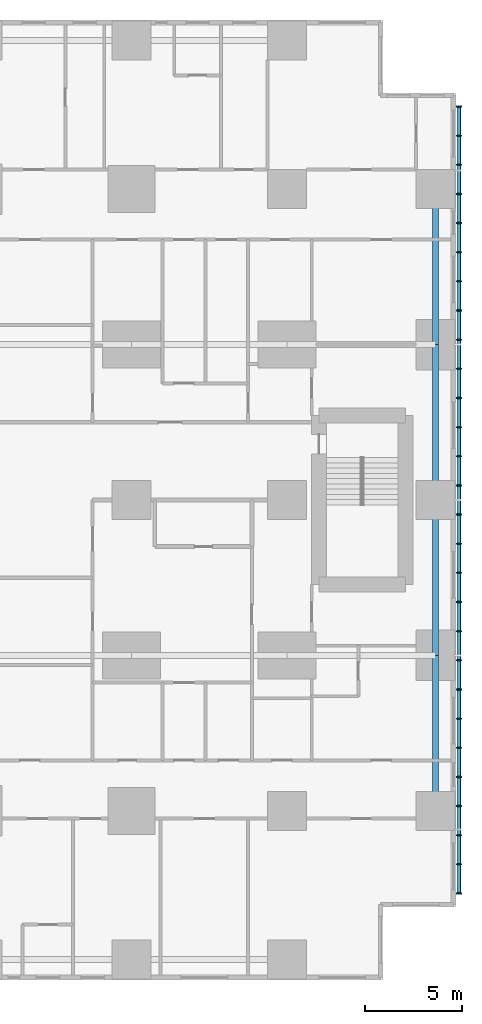
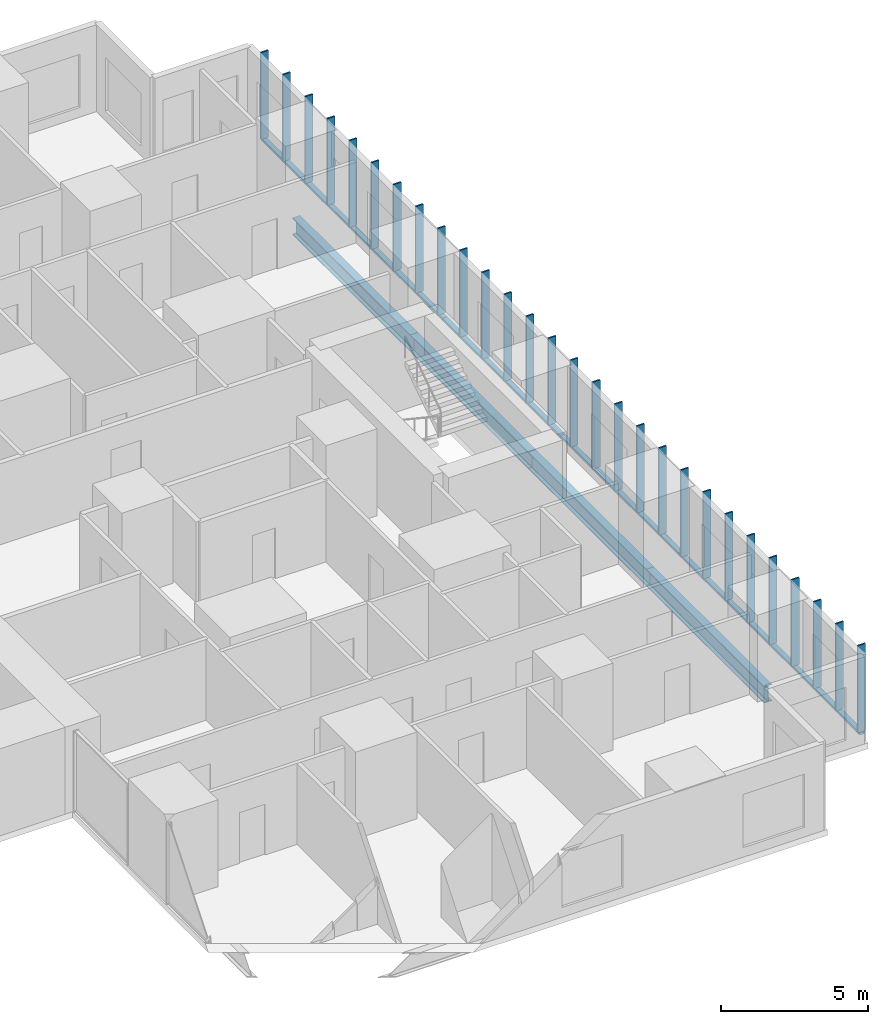
# One storey, part 6 of 20: 32 members, 4 beams.
"""IFC4 building model written with IfcOpenShell, lengths in metres."""

from ifc_helpers import new_model, si_unit, direction, frame, origin, origin_2d, place, context, subcontext, project, spatial, rectangle, hollow_rectangle, i_section, extrude, material, material_profile, profile_set, type_object, element, save


model = new_model("IFC4")

# Units and contexts
model_context = context("Model", 3, precision=1e-05, world=origin(), true_north=direction((0.0, 1.0)))
body_context = subcontext(model_context, "Body", "Model", "MODEL_VIEW")
ifc_project = project(units=[si_unit("LENGTHUNIT", "METRE"), si_unit("AREAUNIT", "SQUARE_METRE"), si_unit("VOLUMEUNIT", "CUBIC_METRE"), si_unit("PLANEANGLEUNIT", "RADIAN"), si_unit("MASSUNIT", "GRAM", prefix="KILO")], contexts=[model_context])

# Site, building, storey
site_placement = place(None, origin())
site = spatial("IfcSite", under=ifc_project, at=site_placement, CompositionType="ELEMENT")
building_placement = place(site_placement, origin())
building = spatial("IfcBuilding", under=site, at=building_placement, Name="Cleftline Residences", CompositionType="ELEMENT")
storey_placement = place(building_placement, frame((0.0, 0.0, 114.199951171875)))
storey = spatial("IfcBuildingStorey", under=building, at=storey_placement, Name="L29", CompositionType="ELEMENT", Elevation=114.199951171875)

# Members
ifc_material_1 = material(Name="Steel S355, hot-dip galvanised", Category="steel")
ifc_material_profile_1 = material_profile(ifc_material_1, hollow_rectangle(XDim=0.10009765625, YDim=0.199951171875, WallThickness=0.008056640625, InnerFilletRadius=0.008056640625, OuterFilletRadius=0.011962890625, at=origin_2d()))
ifc_profile_set_1 = profile_set([ifc_material_profile_1], Name="Steel S355, hot-dip galvanised")
member_type_1 = type_object("IfcMemberType", Name="BAGUETTE CARRIER RHS 200X100X8", PredefinedType="USERDEFINED", material=ifc_profile_set_1)
member_1_placement = place(storey_placement, frame((66.85009765625, 3.699951171875, -0.050048828125), z_axis=(0.0, 1.0, 0.0), x_axis=(0.0, 0.0, 1.0)))
element("IfcMember", 1, at=member_1_placement, inside=storey, type_object=member_type_1, Name="Baguette carrier", ObjectType="BAGUETTE CARRIER", PredefinedType="USERDEFINED", context=body_context, shape_type="SweptSolid", body=[
    extrude(hollow_rectangle(XDim=0.10009765625, YDim=0.199951171875, WallThickness=0.008056640625, InnerFilletRadius=0.008056640625, OuterFilletRadius=0.011962890625, at=origin_2d()), origin(), (0.0, 0.0, 1.0), 12.300048828125),
])
for number, where, z_axis, x_axis, name in (
    (2, (66.85009765625, 16.0, -0.050048828125), (0.0, 1.0, 0.0), (0.0, 0.0, 1.0), "Baguette carrier"),
    (3, (66.85009765625, 24.0, -0.050048828125), (0.0, 1.0, 0.0), (0.0, 0.0, 1.0), "Baguette carrier"),
):
    element("IfcMember", number, at=place(storey_placement, frame(where, z_axis=z_axis, x_axis=x_axis)), inside=storey, type_object=member_type_1, Name=name, ObjectType="BAGUETTE CARRIER", PredefinedType="USERDEFINED", context=body_context, shape_type="SweptSolid", body=[
        extrude(hollow_rectangle(XDim=0.10009765625, YDim=0.199951171875, WallThickness=0.008056640625, InnerFilletRadius=0.008056640625, OuterFilletRadius=0.011962890625, at=origin_2d()), origin(), (0.0, 0.0, 1.0), 8.0),
    ])
member_2_placement = place(storey_placement, frame((66.85009765625, 32.0, -0.050048828125), z_axis=(0.0, 1.0, 0.0), x_axis=(0.0, 0.0, 1.0)))
element("IfcMember", 4, at=member_2_placement, inside=storey, type_object=member_type_1, Name="Baguette carrier", ObjectType="BAGUETTE CARRIER", PredefinedType="USERDEFINED", context=body_context, shape_type="SweptSolid", body=[
    extrude(hollow_rectangle(XDim=0.10009765625, YDim=0.199951171875, WallThickness=0.008056640625, InnerFilletRadius=0.008056640625, OuterFilletRadius=0.011962890625, at=origin_2d()), origin(), (0.0, 0.0, 1.0), 12.300048828125),
])

# Beams
ifc_material_2 = material(Name="Steel S355", Category="steel")
ifc_material_profile_2 = material_profile(ifc_material_2, i_section(OverallWidth=0.300048828125, OverallDepth=0.699951171875, WebThickness=0.01708984375, FlangeThickness=0.031982421875, FilletRadius=0.027099609375, at=origin_2d()))
ifc_profile_set_2 = profile_set([ifc_material_profile_2], Name="Steel S355")
beam_type = type_object("IfcBeamType", Name="BEAM HEB 700", PredefinedType="BEAM", material=ifc_profile_set_2)
for number, where, z_axis, x_axis, name in (
    (5, (65.64990234375, 8.0, -0.599853515625), (0.0, 1.0, 0.0), (-1.0, 0.0, 0.0), "Edge beam"),
    (6, (65.64990234375, 16.0, -0.599853515625), (0.0, 1.0, 0.0), (-1.0, 0.0, 0.0), "Edge beam"),
    (7, (65.64990234375, 24.0, -0.599853515625), (0.0, 1.0, 0.0), (-1.0, 0.0, 0.0), "Edge beam"),
    (8, (65.64990234375, 32.0, -0.599853515625), (0.0, 1.0, 0.0), (-1.0, 0.0, 0.0), "Edge beam"),
):
    element("IfcBeam", number, at=place(storey_placement, frame(where, z_axis=z_axis, x_axis=x_axis)), inside=storey, type_object=beam_type, Name=name, PredefinedType="BEAM", context=body_context, shape_type="SweptSolid", body=[
        extrude(i_section(OverallWidth=0.300048828125, OverallDepth=0.699951171875, WebThickness=0.01708984375, FlangeThickness=0.031982421875, FilletRadius=0.027099609375, at=origin_2d()), origin(), (0.0, 0.0, 1.0), 8.0),
    ])

# Members
ifc_material_3 = material(Name="Extruded terracotta", Category="masonry")
ifc_material_profile_3 = material_profile(ifc_material_3, rectangle(XDim=0.06005859375, YDim=0.300048828125, at=origin_2d()))
ifc_profile_set_3 = profile_set([ifc_material_profile_3], Name="Extruded terracotta")
member_type_2 = type_object("IfcMemberType", Name="TERRACOTTA BAGUETTE 60X300", PredefinedType="USERDEFINED", material=ifc_profile_set_3)
for number, where, z_axis, x_axis, name in (
    (9, (66.85009765625, 3.75, 0.0), (0.0, 0.0, 1.0), (0.0, 1.0, 0.0), "Terracotta baguette"),
    (10, (66.85009765625, 5.25, 0.0), (0.0, 0.0, 1.0), (0.0, 1.0, 0.0), "Terracotta baguette"),
    (11, (66.85009765625, 6.75, 0.0), (0.0, 0.0, 1.0), (0.0, 1.0, 0.0), "Terracotta baguette"),
    (12, (66.85009765625, 8.25, 0.0), (0.0, 0.0, 1.0), (0.0, 1.0, 0.0), "Terracotta baguette"),
    (13, (66.85009765625, 9.75, 0.0), (0.0, 0.0, 1.0), (0.0, 1.0, 0.0), "Terracotta baguette"),
    (14, (66.85009765625, 11.25, 0.0), (0.0, 0.0, 1.0), (0.0, 1.0, 0.0), "Terracotta baguette"),
    (15, (66.85009765625, 12.75, 0.0), (0.0, 0.0, 1.0), (0.0, 1.0, 0.0), "Terracotta baguette"),
    (16, (66.85009765625, 14.25, 0.0), (0.0, 0.0, 1.0), (0.0, 1.0, 0.0), "Terracotta baguette"),
    (17, (66.85009765625, 15.75, 0.0), (0.0, 0.0, 1.0), (0.0, 1.0, 0.0), "Terracotta baguette"),
    (18, (66.85009765625, 17.25, 0.0), (0.0, 0.0, 1.0), (0.0, 1.0, 0.0), "Terracotta baguette"),
    (19, (66.85009765625, 18.75, 0.0), (0.0, 0.0, 1.0), (0.0, 1.0, 0.0), "Terracotta baguette"),
    (20, (66.85009765625, 20.25, 0.0), (0.0, 0.0, 1.0), (0.0, 1.0, 0.0), "Terracotta baguette"),
    (21, (66.85009765625, 21.75, 0.0), (0.0, 0.0, 1.0), (0.0, 1.0, 0.0), "Terracotta baguette"),
    (22, (66.85009765625, 23.25, 0.0), (0.0, 0.0, 1.0), (0.0, 1.0, 0.0), "Terracotta baguette"),
    (23, (66.85009765625, 24.75, 0.0), (0.0, 0.0, 1.0), (0.0, 1.0, 0.0), "Terracotta baguette"),
    (24, (66.85009765625, 26.25, 0.0), (0.0, 0.0, 1.0), (0.0, 1.0, 0.0), "Terracotta baguette"),
    (25, (66.85009765625, 27.75, 0.0), (0.0, 0.0, 1.0), (0.0, 1.0, 0.0), "Terracotta baguette"),
    (26, (66.85009765625, 29.25, 0.0), (0.0, 0.0, 1.0), (0.0, 1.0, 0.0), "Terracotta baguette"),
    (27, (66.85009765625, 30.75, 0.0), (0.0, 0.0, 1.0), (0.0, 1.0, 0.0), "Terracotta baguette"),
    (28, (66.85009765625, 32.25, 0.0), (0.0, 0.0, 1.0), (0.0, 1.0, 0.0), "Terracotta baguette"),
    (29, (66.85009765625, 33.75, 0.0), (0.0, 0.0, 1.0), (0.0, 1.0, 0.0), "Terracotta baguette"),
    (30, (66.85009765625, 35.25, 0.0), (0.0, 0.0, 1.0), (0.0, 1.0, 0.0), "Terracotta baguette"),
    (31, (66.85009765625, 36.75, 0.0), (0.0, 0.0, 1.0), (0.0, 1.0, 0.0), "Terracotta baguette"),
    (32, (66.85009765625, 38.25, 0.0), (0.0, 0.0, 1.0), (0.0, 1.0, 0.0), "Terracotta baguette"),
    (33, (66.85009765625, 39.75, 0.0), (0.0, 0.0, 1.0), (0.0, 1.0, 0.0), "Terracotta baguette"),
    (34, (66.85009765625, 41.25, 0.0), (0.0, 0.0, 1.0), (0.0, 1.0, 0.0), "Terracotta baguette"),
    (35, (66.85009765625, 42.75, 0.0), (0.0, 0.0, 1.0), (0.0, 1.0, 0.0), "Terracotta baguette"),
    (36, (66.85009765625, 44.25, 0.0), (0.0, 0.0, 1.0), (0.0, 1.0, 0.0), "Terracotta baguette"),
):
    element("IfcMember", number, at=place(storey_placement, frame(where, z_axis=z_axis, x_axis=x_axis)), inside=storey, type_object=member_type_2, Name=name, ObjectType="BAGUETTE", PredefinedType="USERDEFINED", context=body_context, shape_type="SweptSolid", body=[
        extrude(rectangle(XDim=0.06005859375, YDim=0.300048828125, at=origin_2d()), origin(), (0.0, 0.0, 1.0), 3.60009765625),
    ])

save(model, "model.ifc")
